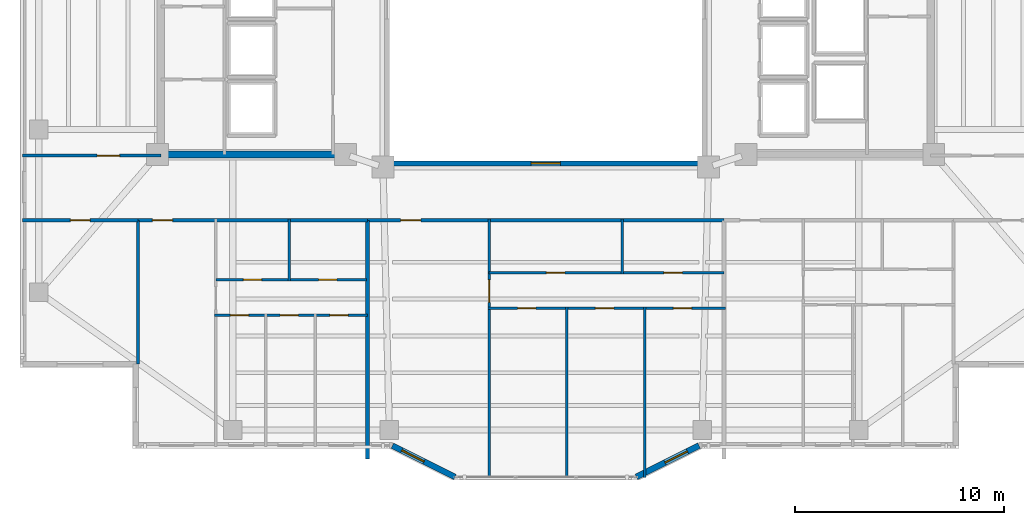
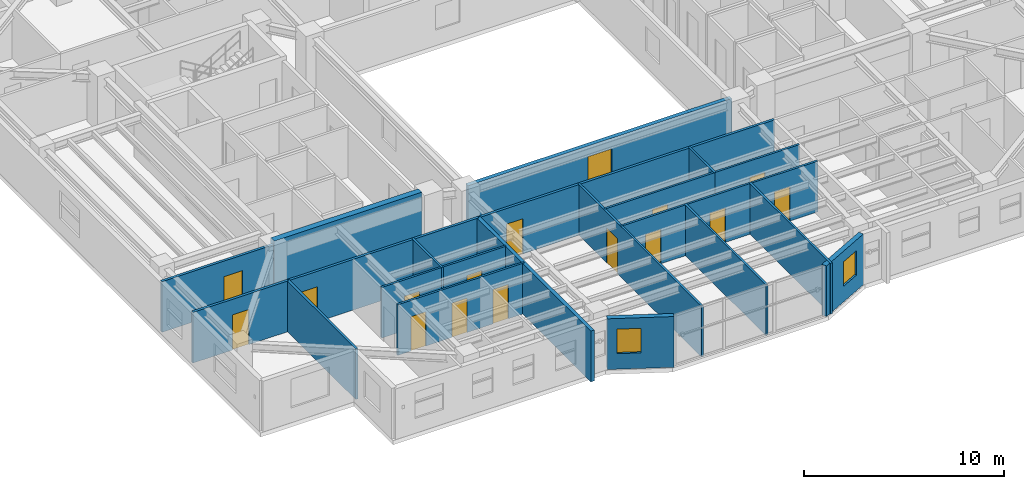
# One storey, part 6 of 16: 21 walls, 15 doors, 3 windows, 18 openings.
"""IFC4 building model written with IfcOpenShell, lengths in metres."""

from ifc_helpers import new_model, si_unit, direction, frame, frame_2d, origin, place, context, subcontext, project, spatial, rectangle, extrude, material, layer, layer_set, type_object, element, fill, save


model = new_model("IFC4")

# Units and contexts
model_context = context("Model", 3, precision=1e-05, world=origin(), true_north=direction((0.0, 1.0)))
body_context = subcontext(model_context, "Body", "Model", "MODEL_VIEW")
ifc_project = project(units=[si_unit("LENGTHUNIT", "METRE"), si_unit("AREAUNIT", "SQUARE_METRE"), si_unit("VOLUMEUNIT", "CUBIC_METRE"), si_unit("PLANEANGLEUNIT", "RADIAN"), si_unit("MASSUNIT", "GRAM", prefix="KILO")], contexts=[model_context])

# Site, building, storey
site_placement = place(None, origin())
site = spatial("IfcSite", under=ifc_project, at=site_placement, CompositionType="ELEMENT")
building_placement = place(site_placement, origin())
building = spatial("IfcBuilding", under=site, at=building_placement, Name="Tarnavaz Court Tower", CompositionType="ELEMENT")
storey_placement = place(building_placement, frame((0.0, 0.0, 149.35009765625)))
storey = spatial("IfcBuildingStorey", under=building, at=storey_placement, Name="L40", CompositionType="ELEMENT", Elevation=149.35009765625)

# Wall
ifc_material_1 = material(Name="Concrete C50/60", Category="concrete")
ifc_layer_1 = layer(ifc_material_1, 0.35009765625)
ifc_layer_set_1 = layer_set([ifc_layer_1], Name="Concrete C50/60")
wall_type_1 = type_object("IfcWallType", Name="WL-CORE-350-C50", PredefinedType="SHEAR", material=ifc_layer_set_1)
wall_1_placement = place(storey_placement, frame((-18.625, -7.199951171875, 0.0), z_axis=(0.0, 0.0, 1.0), x_axis=(1.0, 0.0, 0.0)))
element("IfcWall", 1, at=wall_1_placement, inside=storey, type_object=wall_type_1, Name="L40 West Core South Shear Wall 058", PredefinedType="SHEAR", context=body_context, shape_type="SweptSolid", body=[
    extrude(rectangle(XDim=8.550048828125, YDim=0.35009765625, at=frame_2d((4.27490234375, 0.0))), origin(), (0.0, 0.0, 1.0), 3.349853515625),
])

# Wall, opening, window
ifc_material_2 = material(Name="Precast Concrete C40/50", Category="concrete")
ifc_layer_2 = layer(ifc_material_2, 0.280029296875)
ifc_layer_set_2 = layer_set([ifc_layer_2], Name="Precast Concrete C40/50")
wall_type_2 = type_object("IfcWallType", Name="WL-EXT-280", PredefinedType="SOLIDWALL", material=ifc_layer_set_2)
wall_2_placement = place(storey_placement, frame((7.35009765625, -21.14990234375, 0.0), z_axis=(0.0, 0.0, 1.0), x_axis=(-0.894427191, -0.4472135955, 0.0)))
wall_2 = element("IfcWall", 2, at=wall_2_placement, inside=storey, type_object=wall_type_2, Name="L40 Exterior Terracotta Facade Wall 16", PredefinedType="SOLIDWALL", context=body_context, shape_type="SweptSolid", body=[
    extrude(rectangle(XDim=3.35400390625, YDim=0.280029296875, at=frame_2d((1.677001953125, 0.0))), origin(), (0.0, 0.0, 1.0), 3.099853515625),
])
opening_1_placement = place(wall_2_placement, frame((0.62158203125, 0.0, 0.949951171875)))
opening_1 = element("IfcOpeningElement", 3, at=opening_1_placement, cuts=wall_2, Name="Opening W05", PredefinedType="OPENING", context=body_context, shape_type="SweptSolid", body=[
    extrude(rectangle(XDim=1.199951171875, YDim=1.5, at=frame_2d((0.60009765625, 0.75))), frame((0.0, 0.14990234375, 0.0), z_axis=(0.0, -1.0, 0.0), x_axis=(1.0, 0.0, 0.0)), (0.0, 0.0, 1.0), 0.300048828125),
])
ifc_material_3 = material(Name="Double-Glazed Solar Low-E Glass", Category="glass")
window_type_1 = type_object("IfcWindowType", Name="WN-APT-1200", PartitioningType="SINGLE_PANEL", PredefinedType="WINDOW", material=ifc_material_3)
window_1_placement = place(opening_1_placement, origin())
window_1 = element("IfcWindow", 4, at=window_1_placement, inside=storey, type_object=window_type_1, Name="L40 Flat 05 Bedroom 3 Window", OverallHeight=1.5, OverallWidth=1.199951171875, PartitioningType="SINGLE_PANEL", PredefinedType="WINDOW", context=body_context, shape_type="SweptSolid", body=[
    extrude(rectangle(XDim=1.199951171875, YDim=1.5, at=frame_2d((0.60009765625, 0.75))), frame((0.0, 0.030029296875, 0.0), z_axis=(0.0, -1.0, 0.0), x_axis=(1.0, 0.0, 0.0)), (0.0, 0.0, 1.0), 0.06005859375),
])
fill(opening_1, window_1)

wall_3_placement = place(storey_placement, frame((-4.35009765625, -22.64990234375, 0.0), z_axis=(0.0, 0.0, 1.0), x_axis=(-0.894427191, 0.4472135955, 0.0)))
wall_3 = element("IfcWall", 5, at=wall_3_placement, inside=storey, type_object=wall_type_2, Name="L40 Exterior Terracotta Facade Wall 18", PredefinedType="SOLIDWALL", context=body_context, shape_type="SweptSolid", body=[
    extrude(rectangle(XDim=3.35400390625, YDim=0.280029296875, at=frame_2d((1.677001953125, 0.0))), origin(), (0.0, 0.0, 1.0), 3.099853515625),
])
opening_2_placement = place(wall_3_placement, frame((1.65283203125, 0.0, 0.949951171875)))
opening_2 = element("IfcOpeningElement", 6, at=opening_2_placement, cuts=wall_3, Name="Opening W05", PredefinedType="OPENING", context=body_context, shape_type="SweptSolid", body=[
    extrude(rectangle(XDim=1.199951171875, YDim=1.5, at=frame_2d((0.60009765625, 0.75))), frame((0.0, 0.14990234375, 0.0), z_axis=(0.0, -1.0, 0.0), x_axis=(1.0, 0.0, 0.0)), (0.0, 0.0, 1.0), 0.300048828125),
])
window_2_placement = place(opening_2_placement, origin())
window_2 = element("IfcWindow", 7, at=window_2_placement, inside=storey, type_object=window_type_1, Name="L40 Flat 05 Living and Dining Room Window", OverallHeight=1.5, OverallWidth=1.199951171875, PartitioningType="SINGLE_PANEL", PredefinedType="WINDOW", context=body_context, shape_type="SweptSolid", body=[
    extrude(rectangle(XDim=1.199951171875, YDim=1.5, at=frame_2d((0.60009765625, 0.75))), frame((0.0, 0.030029296875, 0.0), z_axis=(0.0, -1.0, 0.0), x_axis=(1.0, 0.0, 0.0)), (0.0, 0.0, 1.0), 0.06005859375),
])
fill(opening_2, window_2)

# Wall, opening, door
ifc_material_4 = material(Name="Gypsum Fire-Board on Acoustic Metal Stud", Category="masonry")
ifc_layer_3 = layer(ifc_material_4, 0.14990234375)
ifc_layer_set_3 = layer_set([ifc_layer_3], Name="Gypsum Fire-Board on Acoustic Metal Stud")
wall_type_3 = type_object("IfcWallType", Name="WL-FIRE-150", PredefinedType="PARTITIONING", material=ifc_layer_set_3)
wall_4_placement = place(storey_placement, frame((-19.550048828125, -10.35009765625, 0.0), z_axis=(0.0, 0.0, 1.0), x_axis=(1.0, 0.0, 0.0)))
wall_4 = element("IfcWall", 8, at=wall_4_placement, inside=storey, type_object=wall_type_3, Name="L40 SW Horseshoe Wall 074", PredefinedType="PARTITIONING", context=body_context, shape_type="SweptSolid", body=[
    extrude(rectangle(XDim=11.0, YDim=0.14990234375, at=frame_2d((5.5, 0.0))), origin(), (0.0, 0.0, 1.0), 3.099853515625),
])
opening_3_placement = place(wall_4_placement, frame((0.699951171875, 0.0, 0.0)))
opening_3 = element("IfcOpeningElement", 9, at=opening_3_placement, cuts=wall_4, Name="Opening D06", PredefinedType="OPENING", context=body_context, shape_type="SweptSolid", body=[
    extrude(rectangle(XDim=0.9599609375, YDim=2.14990234375, at=frame_2d((0.47998046875, 1.074951171875))), frame((0.0, 0.0849609375, 0.0), z_axis=(0.0, -1.0, 0.0), x_axis=(1.0, 0.0, 0.0)), (0.0, 0.0, 1.0), 0.169921875),
])
ifc_material_5 = material(Name="Fire-Rated Hardwood Timber Core", Category="wood")
door_type_1 = type_object("IfcDoorType", Name="DR-FD60-950", OperationType="NOTDEFINED", PredefinedType="DOOR", material=ifc_material_5)
door_1_placement = place(opening_3_placement, origin())
door_1 = element("IfcDoor", 10, at=door_1_placement, inside=storey, type_object=door_type_1, Name="L40 Flat 03 Entrance Door", OperationType="SINGLE_SWING_RIGHT", OverallHeight=2.14990234375, OverallWidth=0.9599609375, PredefinedType="DOOR", context=body_context, shape_type="SweptSolid", body=[
    extrude(rectangle(XDim=0.9599609375, YDim=2.14990234375, at=frame_2d((0.47998046875, 1.074951171875))), frame((0.0, 0.02490234375, 0.0), z_axis=(0.0, -1.0, 0.0), x_axis=(1.0, 0.0, 0.0)), (0.0, 0.0, 1.0), 0.050048828125),
])
fill(opening_3, door_1)

wall_5_placement = place(storey_placement, frame((-8.550048828125, -10.35009765625, 0.0), z_axis=(0.0, 0.0, 1.0), x_axis=(1.0, 0.0, 0.0)))
wall_5 = element("IfcWall", 11, at=wall_5_placement, inside=storey, type_object=wall_type_3, Name="L40 Interior Partition 107", PredefinedType="PARTITIONING", context=body_context, shape_type="SweptSolid", body=[
    extrude(rectangle(XDim=17.10009765625, YDim=0.14990234375, at=frame_2d((8.550048828125, 0.0))), origin(), (0.0, 0.0, 1.0), 3.099853515625),
])
opening_4_placement = place(wall_5_placement, frame((1.60009765625, 0.0, 0.0)))
opening_4 = element("IfcOpeningElement", 12, at=opening_4_placement, cuts=wall_5, Name="Opening D06", PredefinedType="OPENING", context=body_context, shape_type="SweptSolid", body=[
    extrude(rectangle(XDim=0.9599609375, YDim=2.14990234375, at=frame_2d((0.47998046875, 1.074951171875))), frame((0.0, 0.0849609375, 0.0), z_axis=(0.0, -1.0, 0.0), x_axis=(1.0, 0.0, 0.0)), (0.0, 0.0, 1.0), 0.169921875),
])
door_2_placement = place(opening_4_placement, origin())
door_2 = element("IfcDoor", 13, at=door_2_placement, inside=storey, type_object=door_type_1, Name="L40 Flat 05 Entrance Door", OperationType="SINGLE_SWING_RIGHT", OverallHeight=2.14990234375, OverallWidth=0.9599609375, PredefinedType="DOOR", context=body_context, shape_type="SweptSolid", body=[
    extrude(rectangle(XDim=0.9599609375, YDim=2.14990234375, at=frame_2d((0.47998046875, 1.074951171875))), frame((0.0, 0.02490234375, 0.0), z_axis=(0.0, -1.0, 0.0), x_axis=(1.0, 0.0, 0.0)), (0.0, 0.0, 1.0), 0.050048828125),
])
fill(opening_4, door_2)

wall_6_placement = place(storey_placement, frame((-25.080078125, -7.25, 0.0), z_axis=(0.0, 0.0, 1.0), x_axis=(1.0, 0.0, 0.0)))
wall_6 = element("IfcWall", 14, at=wall_6_placement, inside=storey, type_object=wall_type_3, Name="L40 Interior Partition 115", PredefinedType="PARTITIONING", context=body_context, shape_type="SweptSolid", body=[
    extrude(rectangle(XDim=6.630126953125, YDim=0.14990234375, at=frame_2d((3.31494140625, 0.0))), origin(), (0.0, 0.0, 1.0), 3.099853515625),
])
opening_5_placement = place(wall_6_placement, frame((3.580078125, 0.0, 0.0)))
opening_5 = element("IfcOpeningElement", 15, at=opening_5_placement, cuts=wall_6, Name="Opening D12", PredefinedType="OPENING", context=body_context, shape_type="SweptSolid", body=[
    extrude(rectangle(XDim=1.080078125, YDim=2.14990234375, at=frame_2d((0.5400390625, 1.074951171875))), frame((0.0, 0.0849609375, 0.0), z_axis=(0.0, -1.0, 0.0), x_axis=(1.0, 0.0, 0.0)), (0.0, 0.0, 1.0), 0.169921875),
])
ifc_material_6 = material(Name="Engineered Oak Timber", Category="wood")
door_type_2 = type_object("IfcDoorType", Name="DR-INT-1100", OperationType="NOTDEFINED", PredefinedType="DOOR", material=ifc_material_6)
door_3_placement = place(opening_5_placement, origin())
door_3 = element("IfcDoor", 16, at=door_3_placement, inside=storey, type_object=door_type_2, Name="L40 West Study Gallery Door", OperationType="SINGLE_SWING_LEFT", OverallHeight=2.14990234375, OverallWidth=1.080078125, PredefinedType="DOOR", context=body_context, shape_type="SweptSolid", body=[
    extrude(rectangle(XDim=1.080078125, YDim=2.14990234375, at=frame_2d((0.5400390625, 1.074951171875))), frame((0.0, 0.02490234375, 0.0), z_axis=(0.0, -1.0, 0.0), x_axis=(1.0, 0.0, 0.0)), (0.0, 0.0, 1.0), 0.050048828125),
])
fill(opening_5, door_3)

wall_7_placement = place(storey_placement, frame((-25.080078125, -10.35009765625, 0.0), z_axis=(0.0, 0.0, 1.0), x_axis=(1.0, 0.0, 0.0)))
wall_7 = element("IfcWall", 17, at=wall_7_placement, inside=storey, type_object=wall_type_3, Name="L40 Interior Partition 125", PredefinedType="PARTITIONING", context=body_context, shape_type="SweptSolid", body=[
    extrude(rectangle(XDim=5.530029296875, YDim=0.14990234375, at=frame_2d((2.76513671875, 0.0))), origin(), (0.0, 0.0, 1.0), 3.099853515625),
])
opening_6_placement = place(wall_7_placement, frame((2.2900390625, 0.0, 0.0)))
opening_6 = element("IfcOpeningElement", 18, at=opening_6_placement, cuts=wall_7, Name="Opening D13", PredefinedType="OPENING", context=body_context, shape_type="SweptSolid", body=[
    extrude(rectangle(XDim=0.949951171875, YDim=2.14990234375, at=frame_2d((0.47509765625, 1.074951171875))), frame((0.0, 0.0849609375, 0.0), z_axis=(0.0, -1.0, 0.0), x_axis=(1.0, 0.0, 0.0)), (0.0, 0.0, 1.0), 0.169921875),
])
door_type_3 = type_object("IfcDoorType", Name="DR-INT-950", OperationType="NOTDEFINED", PredefinedType="DOOR", material=ifc_material_6)
door_4_placement = place(opening_6_placement, origin())
door_4 = element("IfcDoor", 19, at=door_4_placement, inside=storey, type_object=door_type_3, Name="L40 SW Reading Room Door", OperationType="SINGLE_SWING_LEFT", OverallHeight=2.14990234375, OverallWidth=0.949951171875, PredefinedType="DOOR", context=body_context, shape_type="SweptSolid", body=[
    extrude(rectangle(XDim=0.949951171875, YDim=2.14990234375, at=frame_2d((0.47509765625, 1.074951171875))), frame((0.0, 0.02490234375, 0.0), z_axis=(0.0, -1.0, 0.0), x_axis=(1.0, 0.0, 0.0)), (0.0, 0.0, 1.0), 0.050048828125),
])
fill(opening_6, door_4)

# Wall
ifc_material_7 = material(Name="Autoclaved Aerated Concrete Blockwork", Category="masonry")
ifc_layer_4 = layer(ifc_material_7, 0.199951171875)
ifc_layer_set_4 = layer_set([ifc_layer_4], Name="Autoclaved Aerated Concrete Blockwork")
wall_type_4 = type_object("IfcWallType", Name="WL-FIRE-200", PredefinedType="SOLIDWALL", material=ifc_layer_set_4)
wall_8_placement = place(storey_placement, frame((-8.550048828125, -21.803955078125, 0.0), z_axis=(0.0, 0.0, 1.0), x_axis=(0.0, 1.0, 0.0)))
element("IfcWall", 20, at=wall_8_placement, inside=storey, type_object=wall_type_4, Name="L40 Party Wall 105", PredefinedType="SOLIDWALL", context=body_context, shape_type="SweptSolid", body=[
    extrude(rectangle(XDim=11.453857421875, YDim=0.199951171875, at=frame_2d((5.72705078125, 0.0))), origin(), (0.0, 0.0, 1.0), 3.099853515625),
])

# Wall, opening, door
ifc_material_8 = material(Name="Moisture-Resistant Gypsum Board Partition", Category="masonry")
ifc_layer_5 = layer(ifc_material_8, 0.1201171875)
ifc_layer_set_5 = layer_set([ifc_layer_5], Name="Moisture-Resistant Gypsum Board Partition")
wall_type_5 = type_object("IfcWallType", Name="WL-PART-120", PredefinedType="PARTITIONING", material=ifc_layer_set_5)
wall_9_placement = place(storey_placement, frame((-15.80810546875, -13.199951171875, 0.0), z_axis=(0.0, 0.0, 1.0), x_axis=(1.0, 0.0, 0.0)))
wall_9 = element("IfcWall", 21, at=wall_9_placement, inside=storey, type_object=wall_type_5, Name="L40 Interior Partition 092", PredefinedType="PARTITIONING", context=body_context, shape_type="SweptSolid", body=[
    extrude(rectangle(XDim=3.503173828125, YDim=0.1201171875, at=frame_2d((1.75146484375, 0.0))), origin(), (0.0, 0.0, 1.0), 3.099853515625),
])
opening_7_placement = place(wall_9_placement, frame((1.31201171875, 0.0, 0.0)))
opening_7 = element("IfcOpeningElement", 22, at=opening_7_placement, cuts=wall_9, Name="Opening D14", PredefinedType="OPENING", context=body_context, shape_type="SweptSolid", body=[
    extrude(rectangle(XDim=0.8798828125, YDim=2.10009765625, at=frame_2d((0.43994140625, 1.050048828125))), frame((0.0, 0.070068359375, 0.0), z_axis=(0.0, -1.0, 0.0), x_axis=(1.0, 0.0, 0.0)), (0.0, 0.0, 1.0), 0.14013671875),
])
door_type_4 = type_object("IfcDoorType", Name="DR-INT-900", OperationType="NOTDEFINED", PredefinedType="DOOR", material=ifc_material_6)
door_5_placement = place(opening_7_placement, origin())
door_5 = element("IfcDoor", 23, at=door_5_placement, inside=storey, type_object=door_type_4, Name="L40 Flat 03 Kitchen Door", OperationType="SINGLE_SWING_RIGHT", OverallHeight=2.10009765625, OverallWidth=0.8798828125, PredefinedType="DOOR", context=body_context, shape_type="SweptSolid", body=[
    extrude(rectangle(XDim=0.8798828125, YDim=2.10009765625, at=frame_2d((0.43994140625, 1.050048828125))), frame((0.0, 0.02490234375, 0.0), z_axis=(0.0, -1.0, 0.0), x_axis=(1.0, 0.0, 0.0)), (0.0, 0.0, 1.0), 0.050048828125),
])
fill(opening_7, door_5)

wall_10_placement = place(storey_placement, frame((-12.304931640625, -13.199951171875, 0.0), z_axis=(0.0, 0.0, 1.0), x_axis=(1.0, 0.0, 0.0)))
wall_10 = element("IfcWall", 24, at=wall_10_placement, inside=storey, type_object=wall_type_5, Name="L40 Interior Partition 093", PredefinedType="PARTITIONING", context=body_context, shape_type="SweptSolid", body=[
    extrude(rectangle(XDim=3.704833984375, YDim=0.1201171875, at=frame_2d((1.8525390625, 0.0))), origin(), (0.0, 0.0, 1.0), 3.099853515625),
])
opening_8_placement = place(wall_10_placement, frame((1.4130859375, 0.0, 0.0)))
opening_8 = element("IfcOpeningElement", 25, at=opening_8_placement, cuts=wall_10, Name="Opening D14", PredefinedType="OPENING", context=body_context, shape_type="SweptSolid", body=[
    extrude(rectangle(XDim=0.8798828125, YDim=2.10009765625, at=frame_2d((0.43994140625, 1.050048828125))), frame((0.0, 0.070068359375, 0.0), z_axis=(0.0, -1.0, 0.0), x_axis=(1.0, 0.0, 0.0)), (0.0, 0.0, 1.0), 0.14013671875),
])
door_6_placement = place(opening_8_placement, origin())
door_6 = element("IfcDoor", 26, at=door_6_placement, inside=storey, type_object=door_type_4, Name="L40 Flat 03 Bathroom Door", OperationType="SINGLE_SWING_LEFT", OverallHeight=2.10009765625, OverallWidth=0.8798828125, PredefinedType="DOOR", context=body_context, shape_type="SweptSolid", body=[
    extrude(rectangle(XDim=0.8798828125, YDim=2.10009765625, at=frame_2d((0.43994140625, 1.050048828125))), frame((0.0, 0.02490234375, 0.0), z_axis=(0.0, -1.0, 0.0), x_axis=(1.0, 0.0, 0.0)), (0.0, 0.0, 1.0), 0.050048828125),
])
fill(opening_8, door_6)

# Wall, openings, doors
wall_11_placement = place(storey_placement, frame((-15.867919921875, -14.909912109375, 0.0), z_axis=(0.0, 0.0, 1.0), x_axis=(1.0, 0.0, 0.0)))
wall_11 = element("IfcWall", 27, at=wall_11_placement, inside=storey, type_object=wall_type_5, Name="L40 Interior Partition 094", PredefinedType="PARTITIONING", context=body_context, shape_type="SweptSolid", body=[
    extrude(rectangle(XDim=7.327880859375, YDim=0.1201171875, at=frame_2d((3.6640625, 0.0))), origin(), (0.0, 0.0, 1.0), 3.099853515625),
])
opening_9_placement = place(wall_11_placement, frame((0.7509765625, 0.0, 0.0)))
opening_9 = element("IfcOpeningElement", 28, at=opening_9_placement, cuts=wall_11, Name="Opening D14", PredefinedType="OPENING", context=body_context, shape_type="SweptSolid", body=[
    extrude(rectangle(XDim=0.8798828125, YDim=2.10009765625, at=frame_2d((0.43994140625, 1.050048828125))), frame((0.0, 0.070068359375, 0.0), z_axis=(0.0, -1.0, 0.0), x_axis=(1.0, 0.0, 0.0)), (0.0, 0.0, 1.0), 0.14013671875),
])
opening_10_placement = place(wall_11_placement, frame((3.134033203125, 0.0, 0.0)))
opening_10 = element("IfcOpeningElement", 29, at=opening_10_placement, cuts=wall_11, Name="Opening D14", PredefinedType="OPENING", context=body_context, shape_type="SweptSolid", body=[
    extrude(rectangle(XDim=0.8798828125, YDim=2.10009765625, at=frame_2d((0.43994140625, 1.050048828125))), frame((0.0, 0.070068359375, 0.0), z_axis=(0.0, -1.0, 0.0), x_axis=(1.0, 0.0, 0.0)), (0.0, 0.0, 1.0), 0.14013671875),
])
opening_11_placement = place(wall_11_placement, frame((5.51708984375, 0.0, 0.0)))
opening_11 = element("IfcOpeningElement", 30, at=opening_11_placement, cuts=wall_11, Name="Opening D14", PredefinedType="OPENING", context=body_context, shape_type="SweptSolid", body=[
    extrude(rectangle(XDim=0.8798828125, YDim=2.10009765625, at=frame_2d((0.43994140625, 1.050048828125))), frame((0.0, 0.070068359375, 0.0), z_axis=(0.0, -1.0, 0.0), x_axis=(1.0, 0.0, 0.0)), (0.0, 0.0, 1.0), 0.14013671875),
])
door_7_placement = place(opening_9_placement, origin())
door_7 = element("IfcDoor", 31, at=door_7_placement, inside=storey, type_object=door_type_4, Name="L40 Flat 03 Bedroom 1 Door", OperationType="SINGLE_SWING_RIGHT", OverallHeight=2.10009765625, OverallWidth=0.8798828125, PredefinedType="DOOR", context=body_context, shape_type="SweptSolid", body=[
    extrude(rectangle(XDim=0.8798828125, YDim=2.10009765625, at=frame_2d((0.43994140625, 1.050048828125))), frame((0.0, 0.02490234375, 0.0), z_axis=(0.0, -1.0, 0.0), x_axis=(1.0, 0.0, 0.0)), (0.0, 0.0, 1.0), 0.050048828125),
])
fill(opening_9, door_7)
door_8_placement = place(opening_10_placement, origin())
door_8 = element("IfcDoor", 32, at=door_8_placement, inside=storey, type_object=door_type_4, Name="L40 Flat 03 Bedroom 2 Door", OperationType="SINGLE_SWING_LEFT", OverallHeight=2.10009765625, OverallWidth=0.8798828125, PredefinedType="DOOR", context=body_context, shape_type="SweptSolid", body=[
    extrude(rectangle(XDim=0.8798828125, YDim=2.10009765625, at=frame_2d((0.43994140625, 1.050048828125))), frame((0.0, 0.02490234375, 0.0), z_axis=(0.0, -1.0, 0.0), x_axis=(1.0, 0.0, 0.0)), (0.0, 0.0, 1.0), 0.050048828125),
])
fill(opening_10, door_8)
door_9_placement = place(opening_11_placement, origin())
door_9 = element("IfcDoor", 33, at=door_9_placement, inside=storey, type_object=door_type_4, Name="L40 Flat 03 Bedroom 3 Door", OperationType="SINGLE_SWING_RIGHT", OverallHeight=2.10009765625, OverallWidth=0.8798828125, PredefinedType="DOOR", context=body_context, shape_type="SweptSolid", body=[
    extrude(rectangle(XDim=0.8798828125, YDim=2.10009765625, at=frame_2d((0.43994140625, 1.050048828125))), frame((0.0, 0.02490234375, 0.0), z_axis=(0.0, -1.0, 0.0), x_axis=(1.0, 0.0, 0.0)), (0.0, 0.0, 1.0), 0.050048828125),
])
fill(opening_11, door_9)

# Wall
wall_12_placement = place(storey_placement, frame((-12.304931640625, -13.260009765625, 0.0), z_axis=(0.0, 0.0, 1.0), x_axis=(0.0, 1.0, 0.0)))
element("IfcWall", 34, at=wall_12_placement, inside=storey, type_object=wall_type_5, Name="L40 Interior Partition 095", PredefinedType="PARTITIONING", context=body_context, shape_type="SweptSolid", body=[
    extrude(rectangle(XDim=2.969970703125, YDim=0.1201171875, at=frame_2d((1.48486328125, 0.0))), origin(), (0.0, 0.0, 1.0), 3.099853515625),
])

# Wall, opening, door
wall_13_placement = place(storey_placement, frame((-2.714111328125, -22.679931640625, 0.0), z_axis=(0.0, 0.0, 1.0), x_axis=(0.0, 1.0, 0.0)))
wall_13 = element("IfcWall", 35, at=wall_13_placement, inside=storey, type_object=wall_type_5, Name="L40 Interior Partition 108", PredefinedType="PARTITIONING", context=body_context, shape_type="SweptSolid", body=[
    extrude(rectangle(XDim=12.389892578125, YDim=0.1201171875, at=frame_2d((6.19482421875, 0.0))), origin(), (0.0, 0.0, 1.0), 3.099853515625),
])
opening_12_placement = place(wall_13_placement, frame((8.39501953125, 0.0, 0.0)))
opening_12 = element("IfcOpeningElement", 36, at=opening_12_placement, cuts=wall_13, Name="Opening D12", PredefinedType="OPENING", context=body_context, shape_type="SweptSolid", body=[
    extrude(rectangle(XDim=1.080078125, YDim=2.14990234375, at=frame_2d((0.5400390625, 1.074951171875))), frame((0.0, 0.070068359375, 0.0), z_axis=(0.0, -1.0, 0.0), x_axis=(1.0, 0.0, 0.0)), (0.0, 0.0, 1.0), 0.14013671875),
])
door_10_placement = place(opening_12_placement, origin())
door_10 = element("IfcDoor", 37, at=door_10_placement, inside=storey, type_object=door_type_2, Name="L40 Flat 05 Foyer Door", OperationType="SINGLE_SWING_LEFT", OverallHeight=2.14990234375, OverallWidth=1.080078125, PredefinedType="DOOR", context=body_context, shape_type="SweptSolid", body=[
    extrude(rectangle(XDim=1.080078125, YDim=2.14990234375, at=frame_2d((0.5400390625, 1.074951171875))), frame((0.0, 0.02490234375, 0.0), z_axis=(0.0, -1.0, 0.0), x_axis=(1.0, 0.0, 0.0)), (0.0, 0.0, 1.0), 0.050048828125),
])
fill(opening_12, door_10)

wall_14_placement = place(storey_placement, frame((-2.714111328125, -12.860107421875, 0.0), z_axis=(0.0, 0.0, 1.0), x_axis=(1.0, 0.0, 0.0)))
wall_14 = element("IfcWall", 38, at=wall_14_placement, inside=storey, type_object=wall_type_5, Name="L40 Interior Partition 109", PredefinedType="PARTITIONING", context=body_context, shape_type="SweptSolid", body=[
    extrude(rectangle(XDim=6.381103515625, YDim=0.1201171875, at=frame_2d((3.1904296875, 0.0))), origin(), (0.0, 0.0, 1.0), 3.099853515625),
])
opening_13_placement = place(wall_14_placement, frame((2.7509765625, 0.0, 0.0)))
opening_13 = element("IfcOpeningElement", 39, at=opening_13_placement, cuts=wall_14, Name="Opening D14", PredefinedType="OPENING", context=body_context, shape_type="SweptSolid", body=[
    extrude(rectangle(XDim=0.8798828125, YDim=2.10009765625, at=frame_2d((0.43994140625, 1.050048828125))), frame((0.0, 0.070068359375, 0.0), z_axis=(0.0, -1.0, 0.0), x_axis=(1.0, 0.0, 0.0)), (0.0, 0.0, 1.0), 0.14013671875),
])
door_11_placement = place(opening_13_placement, origin())
door_11 = element("IfcDoor", 40, at=door_11_placement, inside=storey, type_object=door_type_4, Name="L40 Flat 05 Kitchen Door", OperationType="SINGLE_SWING_RIGHT", OverallHeight=2.10009765625, OverallWidth=0.8798828125, PredefinedType="DOOR", context=body_context, shape_type="SweptSolid", body=[
    extrude(rectangle(XDim=0.8798828125, YDim=2.10009765625, at=frame_2d((0.43994140625, 1.050048828125))), frame((0.0, 0.02490234375, 0.0), z_axis=(0.0, -1.0, 0.0), x_axis=(1.0, 0.0, 0.0)), (0.0, 0.0, 1.0), 0.050048828125),
])
fill(opening_13, door_11)

wall_15_placement = place(storey_placement, frame((3.6669921875, -12.860107421875, 0.0), z_axis=(0.0, 0.0, 1.0), x_axis=(1.0, 0.0, 0.0)))
wall_15 = element("IfcWall", 41, at=wall_15_placement, inside=storey, type_object=wall_type_5, Name="L40 Interior Partition 110", PredefinedType="PARTITIONING", context=body_context, shape_type="SweptSolid", body=[
    extrude(rectangle(XDim=4.883056640625, YDim=0.1201171875, at=frame_2d((2.44140625, 0.0))), origin(), (0.0, 0.0, 1.0), 3.099853515625),
])
opening_14_placement = place(wall_15_placement, frame((2.001953125, 0.0, 0.0)))
opening_14 = element("IfcOpeningElement", 42, at=opening_14_placement, cuts=wall_15, Name="Opening D14", PredefinedType="OPENING", context=body_context, shape_type="SweptSolid", body=[
    extrude(rectangle(XDim=0.8798828125, YDim=2.10009765625, at=frame_2d((0.43994140625, 1.050048828125))), frame((0.0, 0.070068359375, 0.0), z_axis=(0.0, -1.0, 0.0), x_axis=(1.0, 0.0, 0.0)), (0.0, 0.0, 1.0), 0.14013671875),
])
door_12_placement = place(opening_14_placement, origin())
door_12 = element("IfcDoor", 43, at=door_12_placement, inside=storey, type_object=door_type_4, Name="L40 Flat 05 Bathroom Door", OperationType="SINGLE_SWING_LEFT", OverallHeight=2.10009765625, OverallWidth=0.8798828125, PredefinedType="DOOR", context=body_context, shape_type="SweptSolid", body=[
    extrude(rectangle(XDim=0.8798828125, YDim=2.10009765625, at=frame_2d((0.43994140625, 1.050048828125))), frame((0.0, 0.02490234375, 0.0), z_axis=(0.0, -1.0, 0.0), x_axis=(1.0, 0.0, 0.0)), (0.0, 0.0, 1.0), 0.050048828125),
])
fill(opening_14, door_12)

# Wall, openings, doors
wall_16_placement = place(storey_placement, frame((-2.77392578125, -14.570068359375, 0.0), z_axis=(0.0, 0.0, 1.0), x_axis=(1.0, 0.0, 0.0)))
wall_16 = element("IfcWall", 44, at=wall_16_placement, inside=storey, type_object=wall_type_5, Name="L40 Interior Partition 111", PredefinedType="PARTITIONING", context=body_context, shape_type="SweptSolid", body=[
    extrude(rectangle(XDim=11.384033203125, YDim=0.1201171875, at=frame_2d((5.69189453125, 0.0))), origin(), (0.0, 0.0, 1.0), 3.099853515625),
])
opening_15_placement = place(wall_16_placement, frame((1.426025390625, 0.0, 0.0)))
opening_15 = element("IfcOpeningElement", 45, at=opening_15_placement, cuts=wall_16, Name="Opening D14", PredefinedType="OPENING", context=body_context, shape_type="SweptSolid", body=[
    extrude(rectangle(XDim=0.8798828125, YDim=2.10009765625, at=frame_2d((0.43994140625, 1.050048828125))), frame((0.0, 0.070068359375, 0.0), z_axis=(0.0, -1.0, 0.0), x_axis=(1.0, 0.0, 0.0)), (0.0, 0.0, 1.0), 0.14013671875),
])
opening_16_placement = place(wall_16_placement, frame((5.156982421875, 0.0, 0.0)))
opening_16 = element("IfcOpeningElement", 46, at=opening_16_placement, cuts=wall_16, Name="Opening D14", PredefinedType="OPENING", context=body_context, shape_type="SweptSolid", body=[
    extrude(rectangle(XDim=0.8798828125, YDim=2.10009765625, at=frame_2d((0.43994140625, 1.050048828125))), frame((0.0, 0.070068359375, 0.0), z_axis=(0.0, -1.0, 0.0), x_axis=(1.0, 0.0, 0.0)), (0.0, 0.0, 1.0), 0.14013671875),
])
opening_17_placement = place(wall_16_placement, frame((8.887939453125, 0.0, 0.0)))
opening_17 = element("IfcOpeningElement", 47, at=opening_17_placement, cuts=wall_16, Name="Opening D14", PredefinedType="OPENING", context=body_context, shape_type="SweptSolid", body=[
    extrude(rectangle(XDim=0.8798828125, YDim=2.10009765625, at=frame_2d((0.43994140625, 1.050048828125))), frame((0.0, 0.070068359375, 0.0), z_axis=(0.0, -1.0, 0.0), x_axis=(1.0, 0.0, 0.0)), (0.0, 0.0, 1.0), 0.14013671875),
])
door_13_placement = place(opening_15_placement, origin())
door_13 = element("IfcDoor", 48, at=door_13_placement, inside=storey, type_object=door_type_4, Name="L40 Flat 05 Bedroom 1 Door", OperationType="SINGLE_SWING_RIGHT", OverallHeight=2.10009765625, OverallWidth=0.8798828125, PredefinedType="DOOR", context=body_context, shape_type="SweptSolid", body=[
    extrude(rectangle(XDim=0.8798828125, YDim=2.10009765625, at=frame_2d((0.43994140625, 1.050048828125))), frame((0.0, 0.02490234375, 0.0), z_axis=(0.0, -1.0, 0.0), x_axis=(1.0, 0.0, 0.0)), (0.0, 0.0, 1.0), 0.050048828125),
])
fill(opening_15, door_13)
door_14_placement = place(opening_16_placement, origin())
door_14 = element("IfcDoor", 49, at=door_14_placement, inside=storey, type_object=door_type_4, Name="L40 Flat 05 Bedroom 2 Door", OperationType="SINGLE_SWING_LEFT", OverallHeight=2.10009765625, OverallWidth=0.8798828125, PredefinedType="DOOR", context=body_context, shape_type="SweptSolid", body=[
    extrude(rectangle(XDim=0.8798828125, YDim=2.10009765625, at=frame_2d((0.43994140625, 1.050048828125))), frame((0.0, 0.02490234375, 0.0), z_axis=(0.0, -1.0, 0.0), x_axis=(1.0, 0.0, 0.0)), (0.0, 0.0, 1.0), 0.050048828125),
])
fill(opening_16, door_14)
door_15_placement = place(opening_17_placement, origin())
door_15 = element("IfcDoor", 50, at=door_15_placement, inside=storey, type_object=door_type_4, Name="L40 Flat 05 Bedroom 3 Door", OperationType="SINGLE_SWING_RIGHT", OverallHeight=2.10009765625, OverallWidth=0.8798828125, PredefinedType="DOOR", context=body_context, shape_type="SweptSolid", body=[
    extrude(rectangle(XDim=0.8798828125, YDim=2.10009765625, at=frame_2d((0.43994140625, 1.050048828125))), frame((0.0, 0.02490234375, 0.0), z_axis=(0.0, -1.0, 0.0), x_axis=(1.0, 0.0, 0.0)), (0.0, 0.0, 1.0), 0.050048828125),
])
fill(opening_17, door_15)

# Walls
wall_17_placement = place(storey_placement, frame((3.6669921875, -12.919921875, 0.0), z_axis=(0.0, 0.0, 1.0), x_axis=(0.0, 1.0, 0.0)))
element("IfcWall", 51, at=wall_17_placement, inside=storey, type_object=wall_type_5, Name="L40 Interior Partition 112", PredefinedType="PARTITIONING", context=body_context, shape_type="SweptSolid", body=[
    extrude(rectangle(XDim=2.6298828125, YDim=0.1201171875, at=frame_2d((1.31494140625, 0.0))), origin(), (0.0, 0.0, 1.0), 3.099853515625),
])
for number, where, z_axis, x_axis, name in (
    (52, (1.01708984375, -22.679931640625, 0.0), (0.0, 0.0, 1.0), (0.0, 1.0, 0.0), "L40 Interior Partition 113"),
    (53, (4.7490234375, -22.679931640625, 0.0), (0.0, 0.0, 1.0), (0.0, 1.0, 0.0), "L40 Interior Partition 114"),
):
    element("IfcWall", number, at=place(storey_placement, frame(where, z_axis=z_axis, x_axis=x_axis)), inside=storey, type_object=wall_type_5, Name=name, PredefinedType="PARTITIONING", context=body_context, shape_type="SweptSolid", body=[
        extrude(rectangle(XDim=8.169921875, YDim=0.1201171875, at=frame_2d((4.0849609375, 0.0))), origin(), (0.0, 0.0, 1.0), 3.099853515625),
    ])
ifc_material_9 = material(Name="Gypsum Plasterboard Acoustic Partition", Category="masonry")
ifc_layer_6 = layer(ifc_material_9, 0.139892578125)
ifc_layer_set_6 = layer_set([ifc_layer_6], Name="Gypsum Plasterboard Acoustic Partition")
wall_type_6 = type_object("IfcWallType", Name="WL-PART-150", PredefinedType="PARTITIONING", material=ifc_layer_set_6)
wall_18_placement = place(storey_placement, frame((-19.550048828125, -17.25, 0.0), z_axis=(0.0, 0.0, 1.0), x_axis=(0.0, 1.0, 0.0)))
element("IfcWall", 54, at=wall_18_placement, inside=storey, type_object=wall_type_6, Name="L40 Interior Partition 119", PredefinedType="PARTITIONING", context=body_context, shape_type="SweptSolid", body=[
    extrude(rectangle(XDim=6.89990234375, YDim=0.139892578125, at=frame_2d((3.449951171875, 0.0))), origin(), (0.0, 0.0, 1.0), 3.099853515625),
])

# Wall, opening, window
ifc_layer_7 = layer(ifc_material_2, 0.239990234375)
ifc_layer_set_7 = layer_set([ifc_layer_7], Name="Precast Concrete C40/50")
wall_type_7 = type_object("IfcWallType", Name="WL-WELL-240", PredefinedType="SOLIDWALL", material=ifc_layer_set_7)
wall_19_placement = place(storey_placement, frame((-7.6201171875, -7.6201171875, 0.0), z_axis=(0.0, 0.0, 1.0), x_axis=(1.0, 0.0, 0.0)))
wall_19 = element("IfcWall", 55, at=wall_19_placement, inside=storey, type_object=wall_type_7, Name="L40 Badgir Light-Well Exterior Wall S", PredefinedType="SOLIDWALL", context=body_context, shape_type="SweptSolid", body=[
    extrude(rectangle(XDim=15.240234375, YDim=0.239990234375, at=frame_2d((7.6201171875, 0.0))), origin(), (0.0, 0.0, 1.0), 3.099853515625),
])
opening_18_placement = place(wall_19_placement, frame((6.919921875, 0.0, 0.949951171875)))
opening_18 = element("IfcOpeningElement", 56, at=opening_18_placement, cuts=wall_19, Name="Opening W13", PredefinedType="OPENING", context=body_context, shape_type="SweptSolid", body=[
    extrude(rectangle(XDim=1.39990234375, YDim=1.5, at=frame_2d((0.699951171875, 0.75))), frame((0.0, 0.1298828125, 0.0), z_axis=(0.0, -1.0, 0.0), x_axis=(1.0, 0.0, 0.0)), (0.0, 0.0, 1.0), 0.260009765625),
])
window_type_2 = type_object("IfcWindowType", Name="WN-WEL-1400", PartitioningType="SINGLE_PANEL", PredefinedType="WINDOW", material=ifc_material_3)
window_3_placement = place(opening_18_placement, origin())
window_3 = element("IfcWindow", 57, at=window_3_placement, inside=storey, type_object=window_type_2, Name="L40 Courtyard Gallery Window S", OverallHeight=1.5, OverallWidth=1.39990234375, PartitioningType="SINGLE_PANEL", PredefinedType="WINDOW", context=body_context, shape_type="SweptSolid", body=[
    extrude(rectangle(XDim=1.39990234375, YDim=1.5, at=frame_2d((0.699951171875, 0.75))), frame((0.0, 0.030029296875, 0.0), z_axis=(0.0, -1.0, 0.0), x_axis=(1.0, 0.0, 0.0)), (0.0, 0.0, 1.0), 0.06005859375),
])
fill(opening_18, window_3)

save(model, "model.ifc")
